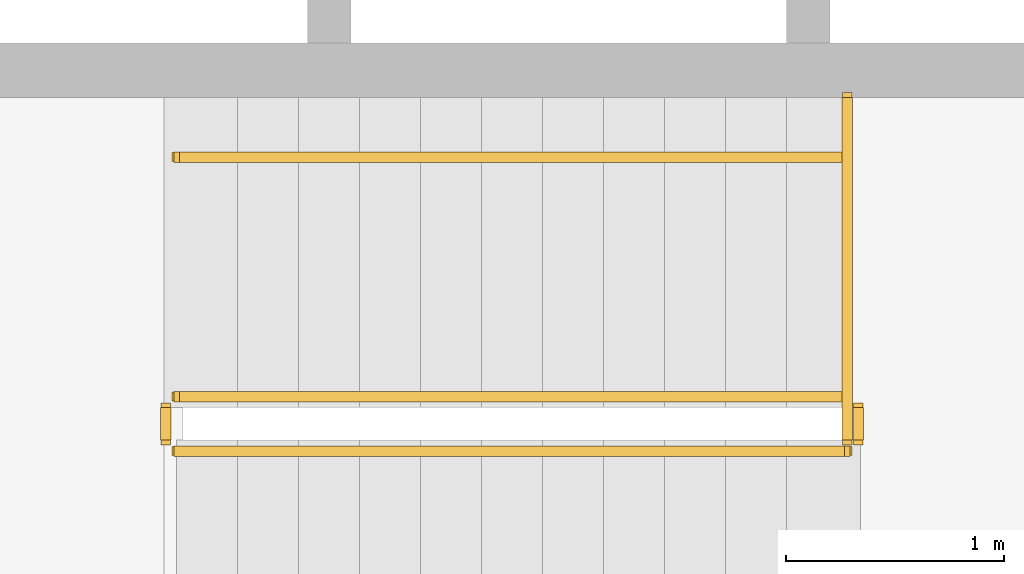
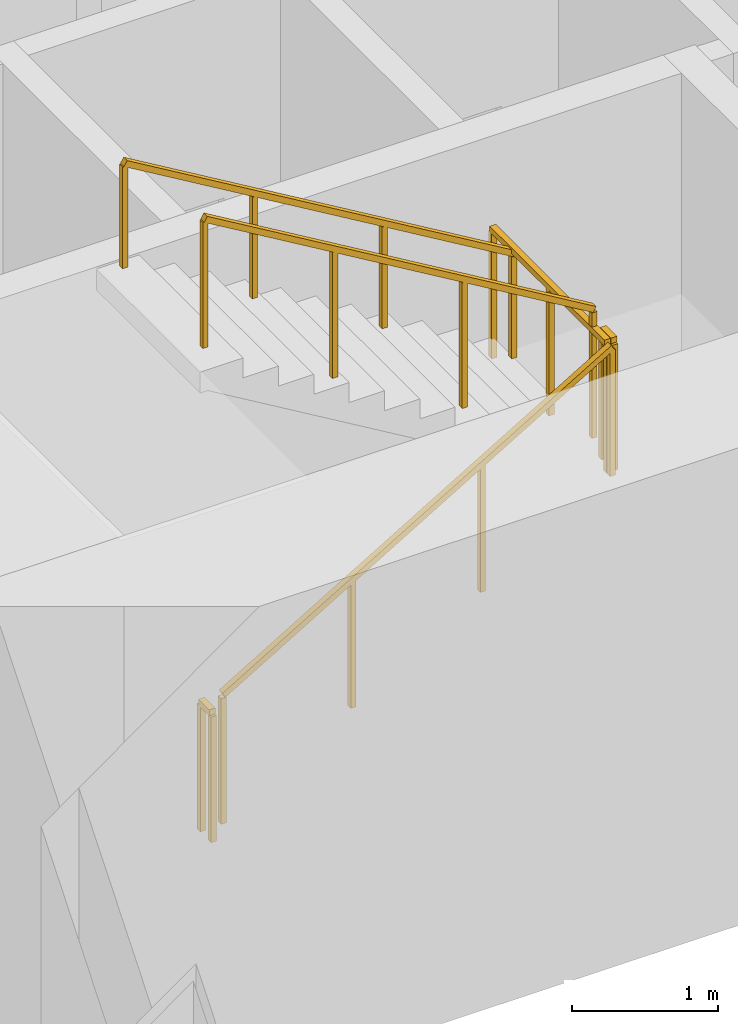
# One storey, part 13 of 16: 6 railings.
"""IFC4 building model written with IfcOpenShell, lengths in metres."""

from ifc_helpers import new_model, si_unit, direction, frame, origin, origin_2d, place, context, subcontext, project, spatial, rectangle, extrude, material, type_object, element, save


model = new_model("IFC4")

# Units and contexts
model_context = context("Model", 3, precision=1e-05, world=origin(), true_north=direction((0.0, 1.0)))
body_context = subcontext(model_context, "Body", "Model", "MODEL_VIEW")
ifc_project = project(units=[si_unit("LENGTHUNIT", "METRE"), si_unit("AREAUNIT", "SQUARE_METRE"), si_unit("VOLUMEUNIT", "CUBIC_METRE"), si_unit("PLANEANGLEUNIT", "RADIAN"), si_unit("MASSUNIT", "GRAM", prefix="KILO")], contexts=[model_context])

# Site, building, storey
site_placement = place(None, origin())
site = spatial("IfcSite", under=ifc_project, at=site_placement, CompositionType="ELEMENT")
building_placement = place(site_placement, origin())
building = spatial("IfcBuilding", under=site, at=building_placement, Name="Sennacour Bend Tower", CompositionType="ELEMENT")
storey_placement = place(building_placement, frame((0.0, 0.0, 91.0)))
storey = spatial("IfcBuildingStorey", under=building, at=storey_placement, Name="L20", CompositionType="ELEMENT", Elevation=91.0)

# Railings
ifc_material = material(Name="Stainless steel", Category="steel")
railing_type_1 = type_object("IfcRailingType", Name="RL-GUARD-1100", PredefinedType="GUARDRAIL", material=ifc_material)
railing_1_placement = place(storey_placement, frame((56.699951171875, 2.449951171875, 0.166748046875)))
element("IfcRailing", 1, at=railing_1_placement, inside=storey, type_object=railing_type_1, Name="L20 SA1 stair guard 1", PredefinedType="GUARDRAIL", context=body_context, shape_type="SweptSolid", body=[
    extrude(rectangle(XDim=0.048095703125, YDim=0.048095703125, at=origin_2d()), frame((0.0, 0.0, 1.076171875), z_axis=(0.859308565015, 0.0, 0.511457515432), x_axis=(0.0, 1.0, 0.0)), (0.0, 0.0, 1.0), 3.58447265625),
    extrude(rectangle(XDim=0.0419921875, YDim=0.0419921875, at=origin_2d()), origin(), (0.0, 0.0, 1.0), 1.052001953125),
    extrude(rectangle(XDim=0.0419921875, YDim=0.0419921875, at=origin_2d()), frame((1.026611328125, 0.0, 0.611083984375)), (0.0, 0.0, 1.0), 1.052001953125),
    extrude(rectangle(XDim=0.0419921875, YDim=0.0419921875, at=origin_2d()), frame((2.053466796875, 0.0, 1.22216796875)), (0.0, 0.0, 1.0), 1.052001953125),
    extrude(rectangle(XDim=0.0419921875, YDim=0.0419921875, at=origin_2d()), frame((3.080078125, 0.0, 1.833251953125)), (0.0, 0.0, 1.0), 1.052001953125),
])
railing_2_placement = place(storey_placement, frame((59.830078125, 2.5, 2.0)))
element("IfcRailing", 2, at=railing_2_placement, inside=storey, type_object=railing_type_1, Name="L20 SA1 stair guard 2", PredefinedType="GUARDRAIL", context=body_context, shape_type="SweptSolid", body=[
    extrude(rectangle(XDim=0.048095703125, YDim=0.048095703125, at=origin_2d()), frame((0.0, 0.0, 1.076171875), z_axis=(0.0, 1.0, 0.0), x_axis=(-1.0, 0.0, 0.0)), (0.0, 0.0, 1.0), 0.14990234375),
    extrude(rectangle(XDim=0.0419921875, YDim=0.0419921875, at=origin_2d()), origin(), (0.0, 0.0, 1.0), 1.052001953125),
    extrude(rectangle(XDim=0.0419921875, YDim=0.0419921875, at=origin_2d()), frame((0.0, 0.14990234375, 0.0)), (0.0, 0.0, 1.0), 1.052001953125),
])
railing_3_placement = place(storey_placement, frame((59.780029296875, 2.699951171875, 2.166748046875)))
element("IfcRailing", 3, at=railing_3_placement, inside=storey, type_object=railing_type_1, Name="L20 SA1 stair guard 4", PredefinedType="GUARDRAIL", context=body_context, shape_type="SweptSolid", body=[
    extrude(rectangle(XDim=0.048095703125, YDim=0.048095703125, at=origin_2d()), frame((0.0, 0.0, 1.076171875), z_axis=(-0.859308565015, 0.0, 0.511457515432), x_axis=(0.0, -1.0, 0.0)), (0.0, 0.0, 1.0), 3.58447265625),
    extrude(rectangle(XDim=0.0419921875, YDim=0.0419921875, at=origin_2d()), origin(), (0.0, 0.0, 1.0), 1.052001953125),
    extrude(rectangle(XDim=0.0419921875, YDim=0.0419921875, at=origin_2d()), frame((-1.026611328125, 0.0, 0.611083984375)), (0.0, 0.0, 1.0), 1.052001953125),
    extrude(rectangle(XDim=0.0419921875, YDim=0.0419921875, at=origin_2d()), frame((-2.053466796875, 0.0, 1.22216796875)), (0.0, 0.0, 1.0), 1.052001953125),
    extrude(rectangle(XDim=0.0419921875, YDim=0.0419921875, at=origin_2d()), frame((-3.080078125, 0.0, 1.833251953125)), (0.0, 0.0, 1.0), 1.052001953125),
])
railing_4_placement = place(storey_placement, frame((56.64990234375, 2.5, 0.0)))
element("IfcRailing", 4, at=railing_4_placement, inside=storey, type_object=railing_type_1, Name="L20 SA1 stair guard 5", PredefinedType="GUARDRAIL", context=body_context, shape_type="SweptSolid", body=[
    extrude(rectangle(XDim=0.048095703125, YDim=0.048095703125, at=origin_2d()), frame((0.0, 0.0, 1.076171875), z_axis=(0.0, 1.0, 0.0), x_axis=(-1.0, 0.0, 0.0)), (0.0, 0.0, 1.0), 0.14990234375),
    extrude(rectangle(XDim=0.0419921875, YDim=0.0419921875, at=origin_2d()), origin(), (0.0, 0.0, 1.0), 1.052001953125),
    extrude(rectangle(XDim=0.0419921875, YDim=0.0419921875, at=origin_2d()), frame((0.0, 0.14990234375, 0.0)), (0.0, 0.0, 1.0), 1.052001953125),
])
railing_5_placement = place(storey_placement, frame((59.780029296875, 2.5, 2.0)))
element("IfcRailing", 5, at=railing_5_placement, inside=storey, type_object=railing_type_1, Name="L20 SA1 landing edge guard 38", PredefinedType="GUARDRAIL", context=body_context, shape_type="SweptSolid", body=[
    extrude(rectangle(XDim=0.048095703125, YDim=0.048095703125, at=origin_2d()), frame((0.0, 0.0, 1.076171875), z_axis=(0.0, 1.0, 0.0), x_axis=(-1.0, 0.0, 0.0)), (0.0, 0.0, 1.0), 1.574951171875),
    extrude(rectangle(XDim=0.0419921875, YDim=0.0419921875, at=origin_2d()), origin(), (0.0, 0.0, 1.0), 1.052001953125),
    extrude(rectangle(XDim=0.0419921875, YDim=0.0419921875, at=origin_2d()), frame((0.0, 0.78759765625, 0.0)), (0.0, 0.0, 1.0), 1.052001953125),
    extrude(rectangle(XDim=0.0419921875, YDim=0.0419921875, at=origin_2d()), frame((0.0, 1.574951171875, 0.0)), (0.0, 0.0, 1.0), 1.052001953125),
])
railing_type_2 = type_object("IfcRailingType", Name="RL-HANDRAIL-900", PredefinedType="HANDRAIL", material=ifc_material)
railing_6_placement = place(storey_placement, frame((59.780029296875, 3.800048828125, 2.166748046875)))
element("IfcRailing", 6, at=railing_6_placement, inside=storey, type_object=railing_type_2, Name="L20 SA1 stair handrail 2", PredefinedType="HANDRAIL", context=body_context, shape_type="SweptSolid", body=[
    extrude(rectangle(XDim=0.048095703125, YDim=0.048095703125, at=origin_2d()), frame((0.0, 0.0, 0.8759765625), z_axis=(-0.859308565015, 0.0, 0.511457515432), x_axis=(0.0, -1.0, 0.0)), (0.0, 0.0, 1.0), 3.58447265625),
    extrude(rectangle(XDim=0.0419921875, YDim=0.0419921875, at=origin_2d()), origin(), (0.0, 0.0, 1.0), 0.851806640625),
    extrude(rectangle(XDim=0.0419921875, YDim=0.0419921875, at=origin_2d()), frame((-1.026611328125, 0.0, 0.611083984375)), (0.0, 0.0, 1.0), 0.851806640625),
    extrude(rectangle(XDim=0.0419921875, YDim=0.0419921875, at=origin_2d()), frame((-2.053466796875, 0.0, 1.22216796875)), (0.0, 0.0, 1.0), 0.851806640625),
    extrude(rectangle(XDim=0.0419921875, YDim=0.0419921875, at=origin_2d()), frame((-3.080078125, 0.0, 1.833251953125)), (0.0, 0.0, 1.0), 0.851806640625),
])

save(model, "model.ifc")
